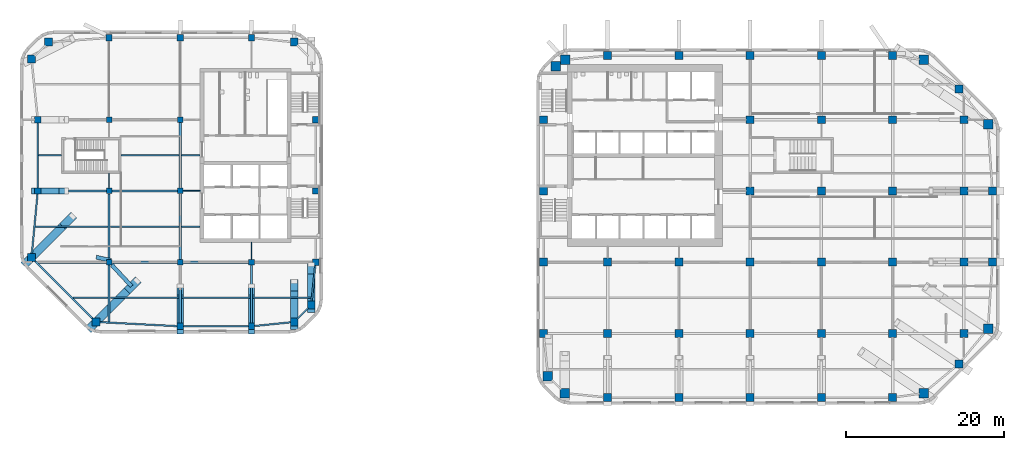
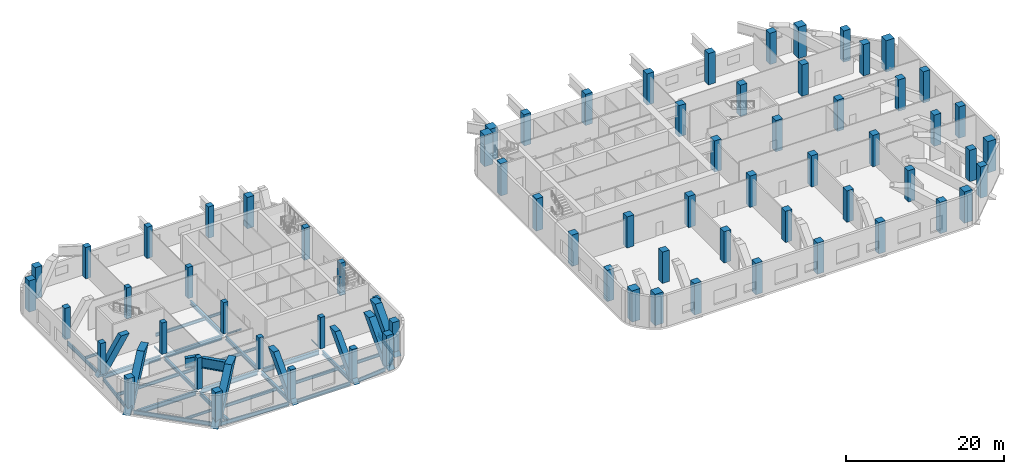
# One storey, part 1 of 14: 70 columns, 34 beams, 7 members.
"""IFC4 building model written with IfcOpenShell, lengths in metres."""

import ifcopenshell
import ifcopenshell.guid

model = None  # the IFC model being written
_history = None  # IfcOwnerHistory: only IFC2X3 demands one
_inside = {}  # id of a spatial element -> (the spatial element, [elements in it])
_under = {}  # id of a project, library or spatial element -> (it, [spatial elements below it])
_declared = {}  # id of a project -> (the project, [libraries it declares])
_typed = {}  # id of a type object -> (the type object, [elements of that type])
_made_of = {}  # id of a material, layer set ... -> (it, [elements and type objects made of it])


def new_model(schema):
    """Start an empty IFC model of exactly this schema.

    Asked for "IFC4X3", IfcOpenShell would pick the latest addendum, in which some entities
    have other attributes; the version numbers below select the first issue.
    IFC2X3 requires an IfcOwnerHistory on every rooted entity: one is made here for all.
    """
    global model, _history
    if schema == "IFC4X3":
        model = ifcopenshell.file(schema_version=(4, 3, 0, 0))
    else:
        model = ifcopenshell.file(schema=schema)
    _inside.clear()
    _under.clear()
    _declared.clear()
    _typed.clear()
    _made_of.clear()
    _history = None
    if model.schema == "IFC2X3":
        org = make("IfcOrganization", Name="unknown")
        user = make(
            "IfcPersonAndOrganization",
            ThePerson=make("IfcPerson", FamilyName="unknown"),
            TheOrganization=org,
        )
        app = make(
            "IfcApplication",
            ApplicationDeveloper=org,
            Version="unknown",
            ApplicationFullName="unknown",
            ApplicationIdentifier="unknown",
        )
        _history = make(
            "IfcOwnerHistory",
            OwningUser=user,
            OwningApplication=app,
            ChangeAction="ADDED",
            CreationDate=0,
        )
    return model


def make(cls, **values):
    """One entity of the class cls with the attributes given. An attribute that is None is left unset."""
    return model.create_entity(
        cls, **{name: value for name, value in values.items() if value is not None}
    )


def rooted(cls, **values):
    """An entity with a GlobalId (a new one), such as an element, a storey or a relation."""
    return make(cls, GlobalId=ifcopenshell.guid.new(), OwnerHistory=_history, **values)


def si_unit(unit_type, name, prefix=None):
    """IfcSIUnit, for example si_unit("LENGTHUNIT", "METRE", prefix="MILLI")."""
    return make("IfcSIUnit", UnitType=unit_type, Prefix=prefix, Name=name)


def assignment(units):
    """IfcUnitAssignment: the units of a project."""
    return None if units is None else make("IfcUnitAssignment", Units=units)


def point(xyz):
    """IfcCartesianPoint."""
    return None if xyz is None else make("IfcCartesianPoint", Coordinates=xyz)


def direction(xyz):
    """IfcDirection."""
    return None if xyz is None else make("IfcDirection", DirectionRatios=xyz)


def frame(location, z_axis=None, x_axis=None):
    """IfcAxis2Placement3D, a coordinate frame: its origin and axes. An axis left out is left unset."""
    return make(
        "IfcAxis2Placement3D",
        Location=point(location),
        Axis=direction(z_axis),
        RefDirection=direction(x_axis),
    )


def frame_2d(location, x_axis=None):
    """IfcAxis2Placement2D, a coordinate frame in the plane: its origin and x axis."""
    return make(
        "IfcAxis2Placement2D", Location=point(location), RefDirection=direction(x_axis)
    )


def origin():
    """The frame at (0, 0, 0) with its axes left unset."""
    return frame((0.0, 0.0, 0.0))


def origin_2d():
    """The frame at (0, 0) in the plane with its x axis left unset."""
    return frame_2d((0.0, 0.0))


def place(relative_to, where):
    """IfcLocalPlacement: puts the frame where relative to a parent placement (None: the world)."""
    return make(
        "IfcLocalPlacement", PlacementRelTo=relative_to, RelativePlacement=where
    )


def context(
    kind, dimensions, precision=None, world=None, true_north=None, identifier=None
):
    """IfcGeometricRepresentationContext, for example the 3D "Model" context."""
    return make(
        "IfcGeometricRepresentationContext",
        ContextIdentifier=identifier,
        ContextType=kind,
        CoordinateSpaceDimension=dimensions,
        Precision=precision,
        WorldCoordinateSystem=world,
        TrueNorth=true_north,
    )


def subcontext(parent, identifier, kind, view, scale=None):
    """IfcGeometricRepresentationSubContext, for example "Body" below "Model"."""
    return make(
        "IfcGeometricRepresentationSubContext",
        ContextIdentifier=identifier,
        ContextType=kind,
        ParentContext=parent,
        TargetScale=scale,
        TargetView=view,
    )


def project(units=None, contexts=None):
    """IfcProject with its units and contexts."""
    return rooted(
        "IfcProject",
        Name="project",
        RepresentationContexts=contexts,
        UnitsInContext=assignment(units),
    )


def spatial(cls, under=None, at=None, **own):
    """A site, building, storey or space (cls), placed at a placement, below another one or the project."""
    s = rooted(cls, ObjectPlacement=at, **own)
    if under is not None:
        _under.setdefault(under.id(), (under, []))[1].append(s)
    return s


def profile(cls, at=None, kind="AREA", **sizes):
    """A parametric profile (cls). Its sizes go by their IFC names, for example OverallWidth=200.0."""
    return make(cls, ProfileType=kind, Position=at, **sizes)


def rectangle(**sizes):
    """IfcRectangleProfileDef."""
    return profile("IfcRectangleProfileDef", **sizes)


def i_section(**sizes):
    """IfcIShapeProfileDef."""
    return profile("IfcIShapeProfileDef", **sizes)


def extrude(swept, where, along, depth):
    """IfcExtrudedAreaSolid: the profile swept, set in the frame where, extruded along a direction by depth."""
    return make(
        "IfcExtrudedAreaSolid",
        SweptArea=swept,
        Position=where,
        ExtrudedDirection=direction(along),
        Depth=depth,
    )


def shape(context_of_items, identifier, shape_type, items):
    """IfcShapeRepresentation: the items that make up one representation, for example the "Body"."""
    return make(
        "IfcShapeRepresentation",
        ContextOfItems=context_of_items,
        RepresentationIdentifier=identifier,
        RepresentationType=shape_type,
        Items=items,
    )


def material(Name=None, Category=None):
    """IfcMaterial."""
    return make("IfcMaterial", Name=Name, Category=Category)


def material_profile(
    of_material, cross_section, Name=None, Category=None, Priority=None
):
    """IfcMaterialProfile: a cross section and its material."""
    return make(
        "IfcMaterialProfile",
        Name=Name,
        Material=of_material,
        Profile=cross_section,
        Priority=Priority,
        Category=Category,
    )


def profile_set(profiles, Name=None, composite=None):
    """IfcMaterialProfileSet."""
    return make(
        "IfcMaterialProfileSet",
        Name=Name,
        MaterialProfiles=profiles,
        CompositeProfile=composite,
    )


def made_of(thing, what):
    """Note that an element or type object is made of a material, layer set ...; save() writes the relation."""
    if what is not None:
        _made_of.setdefault(what.id(), (what, []))[1].append(thing)
    return thing


def type_object(cls, material=None, **own):
    """A type object (cls), such as IfcWallType, which elements share."""
    return made_of(rooted(cls, **own), material)


def element(
    cls,
    number,
    at=None,
    inside=None,
    cuts=None,
    type_object=None,
    material=None,
    context=None,
    identifier="Body",
    shape_type=None,
    held_by="IfcProductDefinitionShape",
    body=None,
    shapes=None,
    **own,
):
    """One element of the class cls, such as IfcWall. Its Tag is "e" and its number.

    at: its placement. inside: the storey or other place that contains it. cuts: it is an
    opening in that element (IfcRelVoidsElement). A single representation is given by context,
    identifier, shape_type and body (its items); several are given by shapes. held_by: the class
    of the entity that holds the representations. save() writes the other relations.
    """
    e = rooted(cls, Tag="e%d" % number, ObjectPlacement=at, **own)
    if body is not None:
        shapes = [shape(context, identifier, shape_type, body)]
    if shapes is not None:
        e.Representation = make(held_by, Representations=shapes)
    if inside is not None:
        _inside.setdefault(inside.id(), (inside, []))[1].append(e)
    if cuts is not None:
        rooted(
            "IfcRelVoidsElement", RelatingBuildingElement=cuts, RelatedOpeningElement=e
        )
    if type_object is not None:
        _typed.setdefault(type_object.id(), (type_object, []))[1].append(e)
    return made_of(e, material)


def aggregate(whole, parts):
    """IfcRelAggregates: a whole, such as a stair, and the parts it consists of."""
    return rooted("IfcRelAggregates", RelatingObject=whole, RelatedObjects=parts)


def save(model, path):
    """Write the relations noted so far, then the file.

    IfcRelAggregates (storeys below a building ...), IfcRelContainedInSpatialStructure (elements
    in a storey), IfcRelDefinesByType, IfcRelAssociatesMaterial and IfcRelDeclares: one each for
    every whole, place, type object, material and project.
    """
    for whole, parts in _under.values():
        aggregate(whole, parts)
    for where, things in _inside.values():
        rooted(
            "IfcRelContainedInSpatialStructure",
            RelatedElements=things,
            RelatingStructure=where,
        )
    for kind, things in _typed.values():
        rooted("IfcRelDefinesByType", RelatedObjects=things, RelatingType=kind)
    for what, things in _made_of.values():
        rooted("IfcRelAssociatesMaterial", RelatedObjects=things, RelatingMaterial=what)
    for by, libraries in _declared.values():
        rooted("IfcRelDeclares", RelatingContext=by, RelatedDefinitions=libraries)
    model.write(path)


model = new_model("IFC4")

# Units and contexts
model_context = context("Model", 3, precision=1e-05, world=origin(), true_north=direction((0.0, 1.0)))
body_context = subcontext(model_context, "Body", "Model", "MODEL_VIEW")
ifc_project = project(units=[si_unit("LENGTHUNIT", "METRE"), si_unit("AREAUNIT", "SQUARE_METRE"), si_unit("VOLUMEUNIT", "CUBIC_METRE"), si_unit("PLANEANGLEUNIT", "RADIAN"), si_unit("MASSUNIT", "GRAM", prefix="KILO")], contexts=[model_context])

# Site, building, storey
site_placement = place(None, origin())
site = spatial("IfcSite", under=ifc_project, at=site_placement, CompositionType="ELEMENT")
building_placement = place(site_placement, origin())
building = spatial("IfcBuilding", under=site, at=building_placement, Name="Cinnabar Reach Civic Tower", CompositionType="ELEMENT")
storey_placement = place(building_placement, frame((0.0, 0.0, 95.0)))
storey = spatial("IfcBuildingStorey", under=building, at=storey_placement, Name="L22", CompositionType="ELEMENT", Elevation=95.0)

# Columns
ifc_material_1 = material(Name="Concrete C70", Category="concrete")
ifc_material_profile_1 = material_profile(ifc_material_1, rectangle(XDim=1.0, YDim=1.0, at=origin_2d()), Name="RC1000")
ifc_profile_set_1 = profile_set([ifc_material_profile_1], Name="Concrete C70")
column_type_1 = type_object("IfcColumnType", Name="RC1000 column R 180", PredefinedType="COLUMN", material=ifc_profile_set_1)
for number, where, z_axis, x_axis, name in (
    (1, (-55.6481, 10.4531, 0.0), (0.0, 0.0, 1.0), (1.0, 0.0, 0.0), "Terrace post T2-Z2-CC0"),
    (2, (-30.6019, 10.4531, 0.0), (0.0, 0.0, 1.0), (1.0, 0.0, 0.0), "Terrace post T2-Z2-CC1"),
    (3, (-28.4531, 12.6019, 0.0), (0.0, 0.0, 1.0), (1.0, 0.0, 0.0), "Terrace post T2-Z2-CC2"),
    (4, (-30.6019, 45.7969, 0.0), (0.0, 0.0, 1.0), (1.0, 0.0, 0.0), "Column T2-Z2-CC4"),
    (5, (-61.6481, 45.7969, 0.0), (0.0, 0.0, 1.0), (1.0, 0.0, 0.0), "Column T2-Z2-CC5"),
    (6, (-63.7969, 43.6481, 0.0), (0.0, 0.0, 1.0), (1.0, 0.0, 0.0), "Terrace post T2-Z2-CC6"),
    (7, (-63.7969, 18.6019, 0.0), (0.0, 0.0, 1.0), (1.0, 0.0, 0.0), "Terrace post T2-Z2-CC7"),
):
    element("IfcColumn", number, at=place(storey_placement, frame(where, z_axis=z_axis, x_axis=x_axis)), inside=storey, type_object=column_type_1, Name=name, PredefinedType="COLUMN", context=body_context, shape_type="SweptSolid", body=[
        extrude(rectangle(XDim=1.0, YDim=1.0, at=origin_2d()), origin(), (0.0, 0.0, 1.0), 4.85),
    ])
ifc_material_profile_2 = material_profile(ifc_material_1, rectangle(XDim=1.0, YDim=1.0, at=origin_2d()), Name="RC1000")
ifc_profile_set_2 = profile_set([ifc_material_profile_2], Name="Concrete C70")
column_type_2 = type_object("IfcColumnType", Name="RC1000 column R 240", PredefinedType="COLUMN", material=ifc_profile_set_2)
for number, where, z_axis, x_axis, name in (
    (8, (9.0, 0.9, 0.0), (0.0, 0.0, 1.0), (1.0, 0.0, 0.0), "Terrace post T1-Z1-F0-1"),
    (9, (18.0, 0.9, 0.0), (0.0, 0.0, 1.0), (1.0, 0.0, 0.0), "Terrace post T1-Z1-F0-2"),
    (10, (27.0, 0.9, 0.0), (0.0, 0.0, 1.0), (1.0, 0.0, 0.0), "Terrace post T1-Z1-F0-3"),
    (11, (36.0, 0.9, 0.0), (0.0, 0.0, 1.0), (1.0, 0.0, 0.0), "Terrace post T1-Z1-F0-4"),
    (12, (45.0, 0.9, 0.0), (0.0, 0.0, 1.0), (1.0, 0.0, 0.0), "Column T1-Z1-F0-5"),
    (13, (53.3636, 5.1364, 0.0), (0.0, 0.0, 1.0), (1.0, 0.0, 0.0), "Terrace post T1-Z1-F1-M"),
    (14, (57.6, 18.0, 0.0), (0.0, 0.0, 1.0), (1.0, 0.0, 0.0), "Terrace post T1-Z1-F2-2"),
    (15, (57.6, 27.0, 0.0), (0.0, 0.0, 1.0), (1.0, 0.0, 0.0), "Terrace post T1-Z1-F2-3"),
    (16, (53.3636, 39.8636, 0.0), (0.0, 0.0, 1.0), (1.0, 0.0, 0.0), "Terrace post T1-Z1-F3-M"),
    (17, (9.0, 44.1, 0.0), (0.0, 0.0, 1.0), (1.0, 0.0, 0.0), "Column T1-Z1-F4-1"),
    (18, (18.0, 44.1, 0.0), (0.0, 0.0, 1.0), (1.0, 0.0, 0.0), "Column T1-Z1-F4-2"),
    (19, (27.0, 44.1, 0.0), (0.0, 0.0, 1.0), (1.0, 0.0, 0.0), "Column T1-Z1-F4-3"),
    (20, (36.0, 44.1, 0.0), (0.0, 0.0, 1.0), (1.0, 0.0, 0.0), "Column T1-Z1-F4-4"),
    (21, (45.0, 44.1, 0.0), (0.0, 0.0, 1.0), (1.0, 0.0, 0.0), "Column T1-Z1-F4-5"),
    (22, (0.9, 9.0, 0.0), (0.0, 0.0, 1.0), (1.0, 0.0, 0.0), "Column T1-Z1-F6-1"),
    (23, (0.9, 18.0, 0.0), (0.0, 0.0, 1.0), (1.0, 0.0, 0.0), "Column T1-Z1-F6-2"),
):
    element("IfcColumn", number, at=place(storey_placement, frame(where, z_axis=z_axis, x_axis=x_axis)), inside=storey, type_object=column_type_2, Name=name, PredefinedType="COLUMN", context=body_context, shape_type="SweptSolid", body=[
        extrude(rectangle(XDim=1.0, YDim=1.0, at=origin_2d()), origin(), (0.0, 0.0, 1.0), 4.85),
    ])
for number, where, z_axis, x_axis, name in (
    (24, (0.9, 27.0, 0.0), (0.0, 0.0, 1.0), (1.0, 0.0, 0.0), "Column T1-Z1-F6-3"),
    (25, (0.9, 36.0, 0.0), (0.0, 0.0, 1.0), (1.0, 0.0, 0.0), "Column T1-Z1-F6-4"),
):
    element("IfcColumn", number, at=place(storey_placement, frame(where, z_axis=z_axis, x_axis=x_axis)), inside=storey, type_object=column_type_2, Name=name, PredefinedType="COLUMN", context=body_context, shape_type="SweptSolid", body=[
        extrude(rectangle(XDim=1.0, YDim=1.0, at=origin_2d()), origin(), (0.0, 0.0, 1.0), 5.0),
    ])
for number, where, z_axis, x_axis, name in (
    (26, (9.0, 9.0, 0.0), (0.0, 0.0, 1.0), (1.0, 0.0, 0.0), "Column T1-Z1-I9_9"),
    (27, (9.0, 18.0, 0.0), (0.0, 0.0, 1.0), (1.0, 0.0, 0.0), "Column T1-Z1-I9_18"),
    (28, (18.0, 9.0, 0.0), (0.0, 0.0, 1.0), (1.0, 0.0, 0.0), "Column T1-Z1-I18_9"),
    (29, (18.0, 18.0, 0.0), (0.0, 0.0, 1.0), (1.0, 0.0, 0.0), "Column T1-Z1-I18_18"),
    (30, (27.0, 9.0, 0.0), (0.0, 0.0, 1.0), (1.0, 0.0, 0.0), "Column T1-Z1-I27_9"),
    (31, (27.0, 18.0, 0.0), (0.0, 0.0, 1.0), (1.0, 0.0, 0.0), "Column T1-Z1-I27_18"),
    (32, (27.0, 27.0, 0.0), (0.0, 0.0, 1.0), (1.0, 0.0, 0.0), "Column T1-Z1-I27_27"),
    (33, (27.0, 36.0, 0.0), (0.0, 0.0, 1.0), (1.0, 0.0, 0.0), "Column T1-Z1-I27_36"),
    (34, (36.0, 9.0, 0.0), (0.0, 0.0, 1.0), (1.0, 0.0, 0.0), "Column T1-Z1-I36_9"),
    (35, (36.0, 18.0, 0.0), (0.0, 0.0, 1.0), (1.0, 0.0, 0.0), "Column T1-Z1-I36_18"),
    (36, (36.0, 27.0, 0.0), (0.0, 0.0, 1.0), (1.0, 0.0, 0.0), "Column T1-Z1-I36_27"),
    (37, (36.0, 36.0, 0.0), (0.0, 0.0, 1.0), (1.0, 0.0, 0.0), "Column T1-Z1-I36_36"),
    (38, (45.0, 9.0, 0.0), (0.0, 0.0, 1.0), (1.0, 0.0, 0.0), "Column T1-Z1-I45_9"),
    (39, (45.0, 18.0, 0.0), (0.0, 0.0, 1.0), (1.0, 0.0, 0.0), "Column T1-Z1-I45_18"),
    (40, (45.0, 27.0, 0.0), (0.0, 0.0, 1.0), (1.0, 0.0, 0.0), "Column T1-Z1-I45_27"),
    (41, (45.0, 36.0, 0.0), (0.0, 0.0, 1.0), (1.0, 0.0, 0.0), "Column T1-Z1-I45_36"),
    (42, (54.0, 9.0, 0.0), (0.0, 0.0, 1.0), (1.0, 0.0, 0.0), "Column T1-Z1-I54_9"),
    (43, (54.0, 18.0, 0.0), (0.0, 0.0, 1.0), (1.0, 0.0, 0.0), "Column T1-Z1-I54_18"),
    (44, (54.0, 27.0, 0.0), (0.0, 0.0, 1.0), (1.0, 0.0, 0.0), "Column T1-Z1-I54_27"),
    (45, (54.0, 36.0, 0.0), (0.0, 0.0, 1.0), (1.0, 0.0, 0.0), "Column T1-Z1-I54_36"),
):
    element("IfcColumn", number, at=place(storey_placement, frame(where, z_axis=z_axis, x_axis=x_axis)), inside=storey, type_object=column_type_2, Name=name, PredefinedType="COLUMN", context=body_context, shape_type="SweptSolid", body=[
        extrude(rectangle(XDim=1.0, YDim=1.0, at=origin_2d()), origin(), (0.0, 0.0, 1.0), 4.85),
    ])
ifc_material_2 = material(Name="Concrete C80", Category="concrete")
ifc_material_profile_3 = material_profile(ifc_material_2, rectangle(XDim=1.2, YDim=1.2, at=origin_2d()), Name="RC1200")
ifc_profile_set_3 = profile_set([ifc_material_profile_3], Name="Concrete C80")
column_type_3 = type_object("IfcColumnType", Name="RC1200 column R 240", PredefinedType="COLUMN", material=ifc_profile_set_3)
for number, where, z_axis, x_axis, name in (
    (46, (3.6019, 1.4531, 0.0), (0.0, 0.0, 1.0), (1.0, 0.0, 0.0), "Terrace post T1-Z1-CC0"),
    (47, (48.8981, 1.4531, 0.0), (0.0, 0.0, 1.0), (1.0, 0.0, 0.0), "Terrace post T1-Z1-CC1"),
    (48, (57.0469, 9.6019, 0.0), (0.0, 0.0, 1.0), (1.0, 0.0, 0.0), "Terrace post T1-Z1-CC2"),
    (49, (57.0469, 35.3981, 0.0), (0.0, 0.0, 1.0), (1.0, 0.0, 0.0), "Terrace post T1-Z1-CC3"),
    (50, (48.8981, 43.5469, 0.0), (0.0, 0.0, 1.0), (1.0, 0.0, 0.0), "Column T1-Z1-CC4"),
    (51, (3.6666, 43.5737, 0.0), (0.0, 0.0, 1.0), (1.0, 0.0, 0.0), "Column T1-Z1-CC5"),
    (52, (2.4631, 42.75, 0.0), (0.0, 0.0, 1.0), (1.0, 0.0, 0.0), "Column T1-Z1-CC6"),
    (53, (1.4531, 3.6019, 0.0), (0.0, 0.0, 1.0), (1.0, 0.0, 0.0), "Terrace post T1-Z1-CC7"),
):
    element("IfcColumn", number, at=place(storey_placement, frame(where, z_axis=z_axis, x_axis=x_axis)), inside=storey, type_object=column_type_3, Name=name, PredefinedType="COLUMN", context=body_context, shape_type="SweptSolid", body=[
        extrude(rectangle(XDim=1.2, YDim=1.2, at=origin_2d()), origin(), (0.0, 0.0, 1.0), 4.85),
    ])
ifc_material_3 = material(Name="Concrete C60", Category="concrete")
ifc_material_profile_4 = material_profile(ifc_material_3, rectangle(XDim=0.7, YDim=0.7, at=origin_2d()), Name="RC700")
ifc_profile_set_4 = profile_set([ifc_material_profile_4], Name="Concrete C60")
column_type_4 = type_object("IfcColumnType", Name="RC700 column R 180", PredefinedType="COLUMN", material=ifc_profile_set_4)
for number, where, z_axis, x_axis, name in (
    (54, (-54.0, 18.0, 0.0), (0.0, 0.0, 1.0), (1.0, 0.0, 0.0), "Column T2-Z2-I-54_18"),
    (55, (-54.0, 27.0, 0.0), (0.0, 0.0, 1.0), (1.0, 0.0, 0.0), "Column T2-Z2-I-54_27"),
    (56, (-54.0, 36.0, 0.0), (0.0, 0.0, 1.0), (1.0, 0.0, 0.0), "Column T2-Z2-I-54_36"),
    (57, (-45.0, 18.0, 0.0), (0.0, 0.0, 1.0), (1.0, 0.0, 0.0), "Column T2-Z2-I-45_18"),
    (58, (-45.0, 27.0, 0.0), (0.0, 0.0, 1.0), (1.0, 0.0, 0.0), "Column T2-Z2-I-45_27"),
    (59, (-45.0, 36.0, 0.0), (0.0, 0.0, 1.0), (1.0, 0.0, 0.0), "Column T2-Z2-I-45_36"),
    (60, (-36.0, 18.0, 0.0), (0.0, 0.0, 1.0), (1.0, 0.0, 0.0), "Column T2-Z2-I-36_18"),
):
    element("IfcColumn", number, at=place(storey_placement, frame(where, z_axis=z_axis, x_axis=x_axis)), inside=storey, type_object=column_type_4, Name=name, PredefinedType="COLUMN", context=body_context, shape_type="SweptSolid", body=[
        extrude(rectangle(XDim=0.7, YDim=0.7, at=origin_2d()), origin(), (0.0, 0.0, 1.0), 4.85),
    ])
ifc_material_profile_5 = material_profile(ifc_material_3, rectangle(XDim=0.8, YDim=0.8, at=origin_2d()), Name="RC800")
ifc_profile_set_5 = profile_set([ifc_material_profile_5], Name="Concrete C60")
column_type_5 = type_object("IfcColumnType", Name="RC800 column R 180", PredefinedType="COLUMN", material=ifc_profile_set_5)
for number, where, z_axis, x_axis, name in (
    (61, (-45.0, 9.9, 0.0), (0.0, 0.0, 1.0), (1.0, 0.0, 0.0), "Terrace post T2-Z2-F0--5"),
    (62, (-36.0, 9.9, 0.0), (0.0, 0.0, 1.0), (1.0, 0.0, 0.0), "Terrace post T2-Z2-F0--4"),
    (63, (-27.9, 18.0, 0.0), (0.0, 0.0, 1.0), (1.0, 0.0, 0.0), "Column T2-Z2-F2-2"),
):
    element("IfcColumn", number, at=place(storey_placement, frame(where, z_axis=z_axis, x_axis=x_axis)), inside=storey, type_object=column_type_5, Name=name, PredefinedType="COLUMN", context=body_context, shape_type="SweptSolid", body=[
        extrude(rectangle(XDim=0.8, YDim=0.8, at=origin_2d()), origin(), (0.0, 0.0, 1.0), 4.85),
    ])
for number, where, z_axis, x_axis, name in (
    (64, (-27.9, 27.0, 0.0), (0.0, 0.0, 1.0), (1.0, 0.0, 0.0), "Column T2-Z2-F2-3"),
    (65, (-27.9, 36.0, 0.0), (0.0, 0.0, 1.0), (1.0, 0.0, 0.0), "Column T2-Z2-F2-4"),
):
    element("IfcColumn", number, at=place(storey_placement, frame(where, z_axis=z_axis, x_axis=x_axis)), inside=storey, type_object=column_type_5, Name=name, PredefinedType="COLUMN", context=body_context, shape_type="SweptSolid", body=[
        extrude(rectangle(XDim=0.8, YDim=0.8, at=origin_2d()), origin(), (0.0, 0.0, 1.0), 5.0),
    ])
for number, where, z_axis, x_axis, name in (
    (66, (-54.0, 46.35, 0.0), (0.0, 0.0, 1.0), (1.0, 0.0, 0.0), "Column T2-Z2-F4--6"),
    (67, (-45.0, 46.35, 0.0), (0.0, 0.0, 1.0), (1.0, 0.0, 0.0), "Column T2-Z2-F4--5"),
    (68, (-36.0, 46.35, 0.0), (0.0, 0.0, 1.0), (1.0, 0.0, 0.0), "Column T2-Z2-F4--4"),
    (69, (-63.0, 27.0, 0.0), (0.0, 0.0, 1.0), (1.0, 0.0, 0.0), "Terrace post T2-Z2-F6-3"),
    (70, (-63.0, 36.0, 0.0), (0.0, 0.0, 1.0), (1.0, 0.0, 0.0), "Terrace post T2-Z2-F6-4"),
):
    element("IfcColumn", number, at=place(storey_placement, frame(where, z_axis=z_axis, x_axis=x_axis)), inside=storey, type_object=column_type_5, Name=name, PredefinedType="COLUMN", context=body_context, shape_type="SweptSolid", body=[
        extrude(rectangle(XDim=0.8, YDim=0.8, at=origin_2d()), origin(), (0.0, 0.0, 1.0), 4.85),
    ])

# Beams
ifc_material_4 = material(Name="Steel Q355B", Category="steel")
ifc_material_profile_6 = material_profile(ifc_material_4, i_section(OverallWidth=0.302, OverallDepth=0.594, WebThickness=0.014, FlangeThickness=0.023, FilletRadius=0.016, at=origin_2d()), Name="HM594x302x14x23")
ifc_profile_set_6 = profile_set([ifc_material_profile_6], Name="Steel Q355B")
beam_type_1 = type_object("IfcBeamType", Name="HM594x302x14x23 beam R 120", PredefinedType="BEAM", material=ifc_profile_set_6)
beam_1_placement = place(storey_placement, frame((-54.0, 10.4696, -0.597), z_axis=(0.0, 1.0, 0.0), x_axis=(-1.0, 0.0, 0.0)))
element("IfcBeam", 71, at=beam_1_placement, inside=storey, type_object=beam_type_1, Name="Girder T2 L22 1", PredefinedType="BEAM", context=body_context, shape_type="SweptSolid", body=[
    extrude(i_section(OverallWidth=0.302, OverallDepth=0.594, WebThickness=0.014, FlangeThickness=0.023, FilletRadius=0.016, at=origin_2d()), origin(), (0.0, 0.0, 1.0), 7.1784),
])
beam_2_placement = place(storey_placement, frame((-54.0, 18.352, -0.597), z_axis=(0.0, 1.0, 0.0), x_axis=(-1.0, 0.0, 0.0)))
element("IfcBeam", 72, at=beam_2_placement, inside=storey, type_object=beam_type_1, Name="Girder T2 L22 2", PredefinedType="BEAM", context=body_context, shape_type="SweptSolid", body=[
    extrude(i_section(OverallWidth=0.302, OverallDepth=0.594, WebThickness=0.014, FlangeThickness=0.023, FilletRadius=0.016, at=origin_2d()), origin(), (0.0, 0.0, 1.0), 8.296),
])
beam_3_placement = place(storey_placement, frame((-45.0, 10.302, -0.597), z_axis=(0.0, 1.0, 0.0), x_axis=(-1.0, 0.0, 0.0)))
element("IfcBeam", 73, at=beam_3_placement, inside=storey, type_object=beam_type_1, Name="Girder T2 L22 6", PredefinedType="BEAM", context=body_context, shape_type="SweptSolid", body=[
    extrude(i_section(OverallWidth=0.302, OverallDepth=0.594, WebThickness=0.014, FlangeThickness=0.023, FilletRadius=0.016, at=origin_2d()), origin(), (0.0, 0.0, 1.0), 7.346),
])
for number, where, z_axis, x_axis, name in (
    (74, (-45.0, 18.352, -0.597), (0.0, 1.0, 0.0), (-1.0, 0.0, 0.0), "Girder T2 L22 7"),
    (75, (-45.0, 27.352, -0.597), (0.0, 1.0, 0.0), (-1.0, 0.0, 0.0), "Girder T2 L22 8"),
):
    element("IfcBeam", number, at=place(storey_placement, frame(where, z_axis=z_axis, x_axis=x_axis)), inside=storey, type_object=beam_type_1, Name=name, PredefinedType="BEAM", context=body_context, shape_type="SweptSolid", body=[
        extrude(i_section(OverallWidth=0.302, OverallDepth=0.594, WebThickness=0.014, FlangeThickness=0.023, FilletRadius=0.016, at=origin_2d()), origin(), (0.0, 0.0, 1.0), 8.296),
    ])
beam_4_placement = place(storey_placement, frame((-36.0, 10.302, -0.597), z_axis=(0.0, 1.0, 0.0), x_axis=(-1.0, 0.0, 0.0)))
element("IfcBeam", 76, at=beam_4_placement, inside=storey, type_object=beam_type_1, Name="Girder T2 L22 10", PredefinedType="BEAM", context=body_context, shape_type="SweptSolid", body=[
    extrude(i_section(OverallWidth=0.302, OverallDepth=0.594, WebThickness=0.014, FlangeThickness=0.023, FilletRadius=0.016, at=origin_2d()), origin(), (0.0, 0.0, 1.0), 7.346),
])
ifc_material_profile_7 = material_profile(ifc_material_4, i_section(OverallWidth=0.099, OverallDepth=0.198, WebThickness=0.0045, FlangeThickness=0.007, FilletRadius=0.013, at=origin_2d()), Name="HN200x100x5.5x8")
ifc_profile_set_7 = profile_set([ifc_material_profile_7], Name="Steel Q355B")
beam_type_2 = type_object("IfcBeamType", Name="HN200x100x5.5x8 beam R 120", PredefinedType="BEAM", material=ifc_profile_set_7)
beam_5_placement = place(storey_placement, frame((-54.0, 27.352, -0.399), z_axis=(0.0, 1.0, 0.0), x_axis=(-1.0, 0.0, 0.0)))
element("IfcBeam", 77, at=beam_5_placement, inside=storey, type_object=beam_type_2, Name="Girder T2 L22 3", PredefinedType="BEAM", context=body_context, shape_type="SweptSolid", body=[
    extrude(i_section(OverallWidth=0.099, OverallDepth=0.198, WebThickness=0.0045, FlangeThickness=0.007, FilletRadius=0.013, at=origin_2d()), origin(), (0.0, 0.0, 1.0), 1.896),
])
beam_6_placement = place(storey_placement, frame((-36.0, 18.352, -0.399), z_axis=(0.0, 1.0, 0.0), x_axis=(-1.0, 0.0, 0.0)))
element("IfcBeam", 78, at=beam_6_placement, inside=storey, type_object=beam_type_2, Name="Girder T2 L22 11", PredefinedType="BEAM", context=body_context, shape_type="SweptSolid", body=[
    extrude(i_section(OverallWidth=0.099, OverallDepth=0.198, WebThickness=0.0045, FlangeThickness=0.007, FilletRadius=0.013, at=origin_2d()), origin(), (0.0, 0.0, 1.0), 2.146),
])
ifc_material_profile_8 = material_profile(ifc_material_4, i_section(OverallWidth=0.124, OverallDepth=0.248, WebThickness=0.005, FlangeThickness=0.008, FilletRadius=0.013, at=origin_2d()), Name="HN250x125x6x9")
ifc_profile_set_8 = profile_set([ifc_material_profile_8], Name="Steel Q355B")
beam_type_3 = type_object("IfcBeamType", Name="HN250x125x6x9 beam R 120", PredefinedType="BEAM", material=ifc_profile_set_8)
beam_7_placement = place(storey_placement, frame((-44.648, 27.0, -0.424), z_axis=(1.0, 0.0, 0.0), x_axis=(0.0, 1.0, 0.0)))
element("IfcBeam", 79, at=beam_7_placement, inside=storey, type_object=beam_type_3, Name="Girder T2 L22 7", PredefinedType="BEAM", context=body_context, shape_type="SweptSolid", body=[
    extrude(i_section(OverallWidth=0.124, OverallDepth=0.248, WebThickness=0.005, FlangeThickness=0.008, FilletRadius=0.013, at=origin_2d()), origin(), (0.0, 0.0, 1.0), 2.146),
])
ifc_material_profile_9 = material_profile(ifc_material_4, i_section(OverallWidth=0.199, OverallDepth=0.396, WebThickness=0.007, FlangeThickness=0.011, FilletRadius=0.013, at=origin_2d()), Name="HN396x199x7x11")
ifc_profile_set_9 = profile_set([ifc_material_profile_9], Name="Steel Q355B")
beam_type_4 = type_object("IfcBeamType", Name="HN396x199x7x11 beam R 120", PredefinedType="BEAM", material=ifc_profile_set_9)
beam_8_placement = place(storey_placement, frame((-58.5508, 13.5, -0.498), z_axis=(1.0, 0.0, 0.0), x_axis=(0.0, 1.0, 0.0)))
element("IfcBeam", 80, at=beam_8_placement, inside=storey, type_object=beam_type_4, Name="Secondary beam T2 L22 1", PredefinedType="BEAM", context=body_context, shape_type="SweptSolid", body=[
    extrude(i_section(OverallWidth=0.199, OverallDepth=0.396, WebThickness=0.007, FlangeThickness=0.011, FilletRadius=0.013, at=origin_2d()), origin(), (0.0, 0.0, 1.0), 4.3978),
])
beam_9_placement = place(storey_placement, frame((-44.847, 22.5, -0.498), z_axis=(1.0, 0.0, 0.0), x_axis=(0.0, 1.0, 0.0)))
element("IfcBeam", 81, at=beam_9_placement, inside=storey, type_object=beam_type_4, Name="Secondary beam T2 L22 7", PredefinedType="BEAM", context=body_context, shape_type="SweptSolid", body=[
    extrude(i_section(OverallWidth=0.199, OverallDepth=0.396, WebThickness=0.007, FlangeThickness=0.011, FilletRadius=0.013, at=origin_2d()), origin(), (0.0, 0.0, 1.0), 2.345),
])
beam_10_placement = place(storey_placement, frame((-62.898, 31.5, -0.498), z_axis=(1.0, 0.0, 0.0), x_axis=(0.0, 1.0, 0.0)))
element("IfcBeam", 82, at=beam_10_placement, inside=storey, type_object=beam_type_4, Name="Secondary beam T2 L22 8", PredefinedType="BEAM", context=body_context, shape_type="SweptSolid", body=[
    extrude(i_section(OverallWidth=0.199, OverallDepth=0.396, WebThickness=0.007, FlangeThickness=0.011, FilletRadius=0.013, at=origin_2d()), origin(), (0.0, 0.0, 1.0), 2.896),
])
beam_11_placement = place(storey_placement, frame((-44.847, 31.5, -0.498), z_axis=(1.0, 0.0, 0.0), x_axis=(0.0, 1.0, 0.0)))
element("IfcBeam", 83, at=beam_11_placement, inside=storey, type_object=beam_type_4, Name="Secondary beam T2 L22 10", PredefinedType="BEAM", context=body_context, shape_type="SweptSolid", body=[
    extrude(i_section(OverallWidth=0.199, OverallDepth=0.396, WebThickness=0.007, FlangeThickness=0.011, FilletRadius=0.013, at=origin_2d()), origin(), (0.0, 0.0, 1.0), 2.345),
])
ifc_material_profile_10 = material_profile(ifc_material_4, i_section(OverallWidth=0.199, OverallDepth=0.496, WebThickness=0.009, FlangeThickness=0.014, FilletRadius=0.016, at=origin_2d()), Name="HN496x199x9x14")
ifc_profile_set_10 = profile_set([ifc_material_profile_10], Name="Steel Q355B")
beam_type_5 = type_object("IfcBeamType", Name="HN496x199x9x14 beam R 120", PredefinedType="BEAM", material=ifc_profile_set_10)
for number, where, z_axis, x_axis, name in (
    (84, (-53.847, 13.5, -0.548), (1.0, 0.0, 0.0), (0.0, 1.0, 0.0), "Secondary beam T2 L22 2"),
    (85, (-44.847, 13.5, -0.548), (1.0, 0.0, 0.0), (0.0, 1.0, 0.0), "Secondary beam T2 L22 3"),
):
    element("IfcBeam", number, at=place(storey_placement, frame(where, z_axis=z_axis, x_axis=x_axis)), inside=storey, type_object=beam_type_5, Name=name, PredefinedType="BEAM", context=body_context, shape_type="SweptSolid", body=[
        extrude(i_section(OverallWidth=0.199, OverallDepth=0.496, WebThickness=0.009, FlangeThickness=0.014, FilletRadius=0.016, at=origin_2d()), origin(), (0.0, 0.0, 1.0), 8.694),
    ])
beam_12_placement = place(storey_placement, frame((-35.847, 13.5, -0.548), z_axis=(1.0, 0.0, 0.0), x_axis=(0.0, 1.0, 0.0)))
element("IfcBeam", 86, at=beam_12_placement, inside=storey, type_object=beam_type_5, Name="Secondary beam T2 L22 4", PredefinedType="BEAM", context=body_context, shape_type="SweptSolid", body=[
    extrude(i_section(OverallWidth=0.199, OverallDepth=0.496, WebThickness=0.009, FlangeThickness=0.014, FilletRadius=0.016, at=origin_2d()), origin(), (0.0, 0.0, 1.0), 7.3834),
])
beam_13_placement = place(storey_placement, frame((-63.3245, 22.5, -0.548), z_axis=(1.0, 0.0, 0.0), x_axis=(0.0, 1.0, 0.0)))
element("IfcBeam", 87, at=beam_13_placement, inside=storey, type_object=beam_type_5, Name="Secondary beam T2 L22 5", PredefinedType="BEAM", context=body_context, shape_type="SweptSolid", body=[
    extrude(i_section(OverallWidth=0.199, OverallDepth=0.496, WebThickness=0.009, FlangeThickness=0.014, FilletRadius=0.016, at=origin_2d()), origin(), (0.0, 0.0, 1.0), 9.1715),
])
beam_14_placement = place(storey_placement, frame((-53.847, 22.5, -0.548), z_axis=(1.0, 0.0, 0.0), x_axis=(0.0, 1.0, 0.0)))
element("IfcBeam", 88, at=beam_14_placement, inside=storey, type_object=beam_type_5, Name="Secondary beam T2 L22 6", PredefinedType="BEAM", context=body_context, shape_type="SweptSolid", body=[
    extrude(i_section(OverallWidth=0.199, OverallDepth=0.496, WebThickness=0.009, FlangeThickness=0.014, FilletRadius=0.016, at=origin_2d()), origin(), (0.0, 0.0, 1.0), 8.694),
])
beam_15_placement = place(storey_placement, frame((-52.498, 31.5, -0.548), z_axis=(1.0, 0.0, 0.0), x_axis=(0.0, 1.0, 0.0)))
element("IfcBeam", 89, at=beam_15_placement, inside=storey, type_object=beam_type_5, Name="Secondary beam T2 L22 9", PredefinedType="BEAM", context=body_context, shape_type="SweptSolid", body=[
    extrude(i_section(OverallWidth=0.199, OverallDepth=0.496, WebThickness=0.009, FlangeThickness=0.014, FilletRadius=0.016, at=origin_2d()), origin(), (0.0, 0.0, 1.0), 7.345),
])
ifc_material_profile_11 = material_profile(ifc_material_4, i_section(OverallWidth=0.2, OverallDepth=0.6, WebThickness=0.011, FlangeThickness=0.017, FilletRadius=0.016, at=origin_2d()), Name="HN600x200x11x17")
ifc_profile_set_11 = profile_set([ifc_material_profile_11], Name="Steel Q355B")
beam_type_6 = type_object("IfcBeamType", Name="HN600x200x11x17 beam R 120", PredefinedType="BEAM", material=ifc_profile_set_11)
beam_16_placement = place(storey_placement, frame((-55.2661, 10.4333, -0.6), z_axis=(0.998653533726, -0.051876001934, 0.0), x_axis=(0.051876001934, 0.998653533726, 0.0)))
element("IfcBeam", 90, at=beam_16_placement, inside=storey, type_object=beam_type_6, Name="Edge beam T2 L22 1", PredefinedType="BEAM", context=body_context, shape_type="SweptSolid", body=[
    extrude(i_section(OverallWidth=0.2, OverallDepth=0.6, WebThickness=0.011, FlangeThickness=0.017, FilletRadius=0.016, at=origin_2d()), origin(), (0.0, 0.0, 1.0), 9.8774),
])
beam_17_placement = place(storey_placement, frame((-44.598, 9.9, -0.6), z_axis=(1.0, 0.0, 0.0), x_axis=(0.0, 1.0, 0.0)))
element("IfcBeam", 91, at=beam_17_placement, inside=storey, type_object=beam_type_6, Name="Edge beam T2 L22 2", PredefinedType="BEAM", context=body_context, shape_type="SweptSolid", body=[
    extrude(i_section(OverallWidth=0.2, OverallDepth=0.6, WebThickness=0.011, FlangeThickness=0.017, FilletRadius=0.016, at=origin_2d()), origin(), (0.0, 0.0, 1.0), 8.196),
])
beam_18_placement = place(storey_placement, frame((-35.598, 9.9412, -0.6), z_axis=(0.994791084875, 0.101934770579, 0.0), x_axis=(-0.101934770579, 0.994791084875, 0.0)))
element("IfcBeam", 92, at=beam_18_placement, inside=storey, type_object=beam_type_6, Name="Edge beam T2 L22 3", PredefinedType="BEAM", context=body_context, shape_type="SweptSolid", body=[
    extrude(i_section(OverallWidth=0.2, OverallDepth=0.6, WebThickness=0.011, FlangeThickness=0.017, FilletRadius=0.016, at=origin_2d()), origin(), (0.0, 0.0, 1.0), 4.6383),
])
beam_19_placement = place(storey_placement, frame((-30.2199, 10.8351, -0.6), z_axis=(0.707106781187, 0.707106781187, 0.0), x_axis=(-0.707106781187, 0.707106781187, 0.0)))
element("IfcBeam", 93, at=beam_19_placement, inside=storey, type_object=beam_type_6, Name="Edge beam T2 L22 4", PredefinedType="BEAM", context=body_context, shape_type="SweptSolid", body=[
    extrude(i_section(OverallWidth=0.2, OverallDepth=0.6, WebThickness=0.011, FlangeThickness=0.017, FilletRadius=0.016, at=origin_2d()), origin(), (0.0, 0.0, 1.0), 1.9584),
])
beam_20_placement = place(storey_placement, frame((-28.414, 12.9839, -0.6), z_axis=(0.101934770579, 0.994791084875, 0.0), x_axis=(-0.994791084875, 0.101934770579, 0.0)))
element("IfcBeam", 94, at=beam_20_placement, inside=storey, type_object=beam_type_6, Name="Edge beam T2 L22 5", PredefinedType="BEAM", context=body_context, shape_type="SweptSolid", body=[
    extrude(i_section(OverallWidth=0.2, OverallDepth=0.6, WebThickness=0.011, FlangeThickness=0.017, FilletRadius=0.016, at=origin_2d()), origin(), (0.0, 0.0, 1.0), 4.6383),
])
beam_21_placement = place(storey_placement, frame((-63.0, 35.598, -0.6), z_axis=(0.0, -1.0, 0.0), x_axis=(1.0, 0.0, 0.0)))
element("IfcBeam", 95, at=beam_21_placement, inside=storey, type_object=beam_type_6, Name="Edge beam T2 L22 16", PredefinedType="BEAM", context=body_context, shape_type="SweptSolid", body=[
    extrude(i_section(OverallWidth=0.2, OverallDepth=0.6, WebThickness=0.011, FlangeThickness=0.017, FilletRadius=0.016, at=origin_2d()), origin(), (0.0, 0.0, 1.0), 8.196),
])
beam_22_placement = place(storey_placement, frame((-63.0381, 26.598, -0.6), z_axis=(-0.094478368886, -0.99552691466, 0.0), x_axis=(0.99552691466, -0.094478368886, 0.0)))
element("IfcBeam", 96, at=beam_22_placement, inside=storey, type_object=beam_type_6, Name="Edge beam T2 L22 17", PredefinedType="BEAM", context=body_context, shape_type="SweptSolid", body=[
    extrude(i_section(OverallWidth=0.2, OverallDepth=0.6, WebThickness=0.011, FlangeThickness=0.017, FilletRadius=0.016, at=origin_2d()), origin(), (0.0, 0.0, 1.0), 7.6483),
])
beam_23_placement = place(storey_placement, frame((-63.4149, 18.2199, -0.6), z_axis=(0.707106781187, -0.707106781187, 0.0), x_axis=(0.707106781187, 0.707106781187, 0.0)))
element("IfcBeam", 97, at=beam_23_placement, inside=storey, type_object=beam_type_6, Name="Edge beam T2 L22 18", PredefinedType="BEAM", context=body_context, shape_type="SweptSolid", body=[
    extrude(i_section(OverallWidth=0.2, OverallDepth=0.6, WebThickness=0.011, FlangeThickness=0.017, FilletRadius=0.016, at=origin_2d()), origin(), (0.0, 0.0, 1.0), 10.4437),
])
ifc_material_profile_12 = material_profile(ifc_material_4, i_section(OverallWidth=0.3, OverallDepth=0.692, WebThickness=0.013, FlangeThickness=0.02, FilletRadius=0.016, at=origin_2d()), Name="HN692x300x13x20")
ifc_profile_set_12 = profile_set([ifc_material_profile_12], Name="Steel Q355B")
beam_type_7 = type_object("IfcBeamType", Name="HN692x300x13x20 beam R 120", PredefinedType="BEAM", material=ifc_profile_set_12)
beam_24_placement = place(storey_placement, frame((-63.0508, 18.0, -0.646), z_axis=(1.0, 0.0, 0.0), x_axis=(0.0, 1.0, 0.0)))
element("IfcBeam", 98, at=beam_24_placement, inside=storey, type_object=beam_type_7, Name="Girder T2 L22 1", PredefinedType="BEAM", context=body_context, shape_type="SweptSolid", body=[
    extrude(i_section(OverallWidth=0.3, OverallDepth=0.692, WebThickness=0.013, FlangeThickness=0.02, FilletRadius=0.016, at=origin_2d()), origin(), (0.0, 0.0, 1.0), 8.6988),
])
for number, where, z_axis, x_axis, name in (
    (99, (-53.648, 18.0, -0.646), (1.0, 0.0, 0.0), (0.0, 1.0, 0.0), "Girder T2 L22 2"),
    (100, (-44.648, 18.0, -0.646), (1.0, 0.0, 0.0), (0.0, 1.0, 0.0), "Girder T2 L22 3"),
):
    element("IfcBeam", number, at=place(storey_placement, frame(where, z_axis=z_axis, x_axis=x_axis)), inside=storey, type_object=beam_type_7, Name=name, PredefinedType="BEAM", context=body_context, shape_type="SweptSolid", body=[
        extrude(i_section(OverallWidth=0.3, OverallDepth=0.692, WebThickness=0.013, FlangeThickness=0.02, FilletRadius=0.016, at=origin_2d()), origin(), (0.0, 0.0, 1.0), 8.296),
    ])
beam_25_placement = place(storey_placement, frame((-62.598, 27.0, -0.646), z_axis=(1.0, 0.0, 0.0), x_axis=(0.0, 1.0, 0.0)))
element("IfcBeam", 101, at=beam_25_placement, inside=storey, type_object=beam_type_7, Name="Girder T2 L22 5", PredefinedType="BEAM", context=body_context, shape_type="SweptSolid", body=[
    extrude(i_section(OverallWidth=0.3, OverallDepth=0.692, WebThickness=0.013, FlangeThickness=0.02, FilletRadius=0.016, at=origin_2d()), origin(), (0.0, 0.0, 1.0), 8.246),
])
beam_26_placement = place(storey_placement, frame((-53.648, 27.0, -0.646), z_axis=(1.0, 0.0, 0.0), x_axis=(0.0, 1.0, 0.0)))
element("IfcBeam", 102, at=beam_26_placement, inside=storey, type_object=beam_type_7, Name="Girder T2 L22 6", PredefinedType="BEAM", context=body_context, shape_type="SweptSolid", body=[
    extrude(i_section(OverallWidth=0.3, OverallDepth=0.692, WebThickness=0.013, FlangeThickness=0.02, FilletRadius=0.016, at=origin_2d()), origin(), (0.0, 0.0, 1.0), 8.296),
])

# Members
ifc_material_profile_13 = material_profile(ifc_material_3, rectangle(XDim=1.2, YDim=0.8, at=origin_2d()), Name="RC1200x800")
ifc_profile_set_13 = profile_set([ifc_material_profile_13], Name="Concrete C60")
member_type_1 = type_object("IfcMemberType", Name="RC1200x800 raked strut R 180", PredefinedType="STRUT", material=ifc_profile_set_13)
member_placement = place(storey_placement, frame((-63.1948, 27.0, -0.3), z_axis=(0.0, 0.0, 1.0), x_axis=(1.0, 0.0, 0.0)))
element("IfcMember", 103, at=member_placement, inside=storey, type_object=member_type_1, Name="Raked column T2-Z2-F6-3", PredefinedType="STRUT", context=body_context, shape_type="SweptSolid", body=[
    extrude(rectangle(XDim=1.2, YDim=0.8, at=origin_2d()), origin(), (0.544676848479, 0.0, 0.838646010383), 6.3197),
])
ifc_material_profile_14 = material_profile(ifc_material_1, rectangle(XDim=1.4, YDim=1.0, at=origin_2d()), Name="RC1400x1000")
ifc_profile_set_14 = profile_set([ifc_material_profile_14], Name="Concrete C70")
member_type_2 = type_object("IfcMemberType", Name="RC1400x1000 raked strut R 180", PredefinedType="STRUT", material=ifc_profile_set_14)
for number, where, z_axis, x_axis, name in (
    (104, (-30.6019, 10.1747, -0.3), (0.0, 0.0, 1.0), (0.0, 1.0, 0.0), "Raked column T2-Z2-CC1"),
    (105, (-28.4531, 12.3235, -0.3), (0.0, 0.0, 1.0), (0.0, 1.0, 0.0), "Raked column T2-Z2-CC2"),
):
    element("IfcMember", number, at=place(storey_placement, frame(where, z_axis=z_axis, x_axis=x_axis)), inside=storey, type_object=member_type_2, Name=name, PredefinedType="STRUT", context=body_context, shape_type="SweptSolid", body=[
        extrude(rectangle(XDim=1.4, YDim=1.0, at=origin_2d()), origin(), (0.680166692317, 0.0, 0.733057481145), 7.23),
    ])
ifc_material_profile_15 = material_profile(ifc_material_3, rectangle(XDim=1.4, YDim=0.8, at=origin_2d()), Name="RC1400x800")
ifc_profile_set_15 = profile_set([ifc_material_profile_15], Name="Concrete C60")
member_type_3 = type_object("IfcMemberType", Name="RC1400x800 raked strut R 180", PredefinedType="STRUT", material=ifc_profile_set_15)
for number, where, z_axis, x_axis, name in (
    (106, (-45.0, 9.6216, -0.3), (0.0, 0.0, 1.0), (0.0, 1.0, 0.0), "Raked column T2-Z2-F0--5"),
    (107, (-36.0, 9.6216, -0.3), (0.0, 0.0, 1.0), (0.0, 1.0, 0.0), "Raked column T2-Z2-F0--4"),
):
    element("IfcMember", number, at=place(storey_placement, frame(where, z_axis=z_axis, x_axis=x_axis)), inside=storey, type_object=member_type_3, Name=name, PredefinedType="STRUT", context=body_context, shape_type="SweptSolid", body=[
        extrude(rectangle(XDim=1.4, YDim=0.8, at=origin_2d()), origin(), (0.680166692317, 0.0, 0.733057481145), 7.23),
    ])
ifc_material_profile_16 = material_profile(ifc_material_1, rectangle(XDim=2.0, YDim=1.0, at=origin_2d()), Name="RC2000x1000")
ifc_profile_set_16 = profile_set([ifc_material_profile_16], Name="Concrete C70")
member_type_4 = type_object("IfcMemberType", Name="RC2000x1000 raked strut R 180", PredefinedType="STRUT", material=ifc_profile_set_16)
for number, where, z_axis, x_axis, name in (
    (108, (-55.9265, 10.1747, -0.3), (0.0, 0.0, 1.0), (0.707106781187, 0.707106781187, 0.0), "Raked column T2-Z2-CC0"),
    (109, (-64.0753, 18.3235, -0.3), (0.0, 0.0, 1.0), (0.707106781187, 0.707106781187, 0.0), "Raked column T2-Z2-CC7"),
):
    element("IfcMember", number, at=place(storey_placement, frame(where, z_axis=z_axis, x_axis=x_axis)), inside=storey, type_object=member_type_4, Name=name, PredefinedType="STRUT", context=body_context, shape_type="SweptSolid", body=[
        extrude(rectangle(XDim=2.0, YDim=1.0, at=origin_2d()), origin(), (0.795359743392, 0.0, 0.606137672968), 8.7439),
    ])

# Beams
ifc_material_profile_17 = material_profile(ifc_material_4, i_section(OverallWidth=0.5, OverallDepth=1.6, WebThickness=0.025, FlangeThickness=0.04, at=origin_2d()), Name="BH1600x500x25x40")
ifc_profile_set_17 = profile_set([ifc_material_profile_17], Name="Steel Q355B")
beam_type_8 = type_object("IfcBeamType", Name="TRANSFER BH1600x500x25x40 R 180", PredefinedType="BEAM", material=ifc_profile_set_17)
beam_27_placement = place(storey_placement, frame((-53.65, 17.65, 4.05), z_axis=(0.680105904193, -0.733113878659, 0.0), x_axis=(0.733113878659, 0.680105904193, 0.0)))
element("IfcBeam", 110, at=beam_27_placement, inside=storey, type_object=beam_type_8, Name="TRANSFER girder T2-L22-TG-CC0", PredefinedType="BEAM", context=body_context, shape_type="SweptSolid", body=[
    extrude(i_section(OverallWidth=0.5, OverallDepth=1.6, WebThickness=0.025, FlangeThickness=0.04, at=origin_2d()), origin(), (0.0, 0.0, 1.0), 3.6787),
])
beam_28_placement = place(storey_placement, frame((-53.7648, 18.2174, 4.05), z_axis=(-0.975267404062, 0.221028257411, 0.0), x_axis=(-0.221028257411, -0.975267404062, 0.0)))
element("IfcBeam", 111, at=beam_28_placement, inside=storey, type_object=beam_type_8, Name="TRANSFER girder T2-L22-TG-F7-M", PredefinedType="BEAM", context=body_context, shape_type="SweptSolid", body=[
    extrude(i_section(OverallWidth=0.5, OverallDepth=1.6, WebThickness=0.025, FlangeThickness=0.04, at=origin_2d()), origin(), (0.0, 0.0, 1.0), 1.8957),
])

save(model, "model.ifc")
